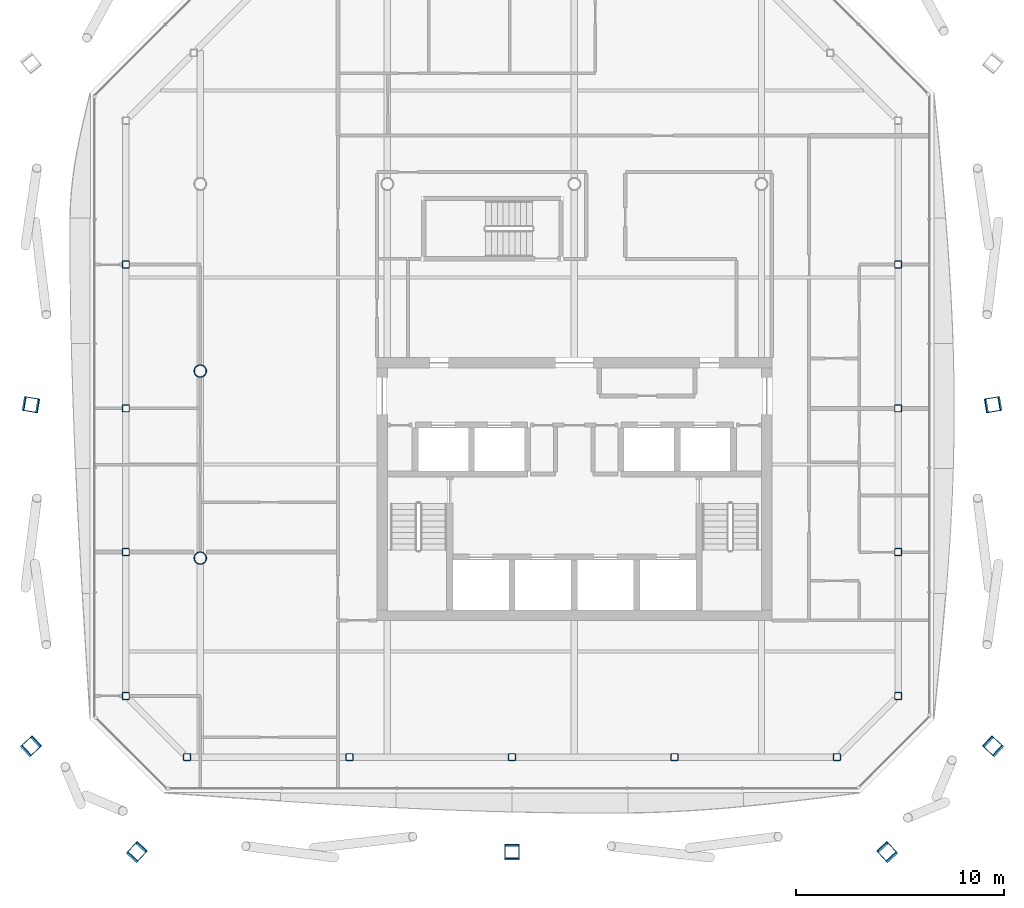
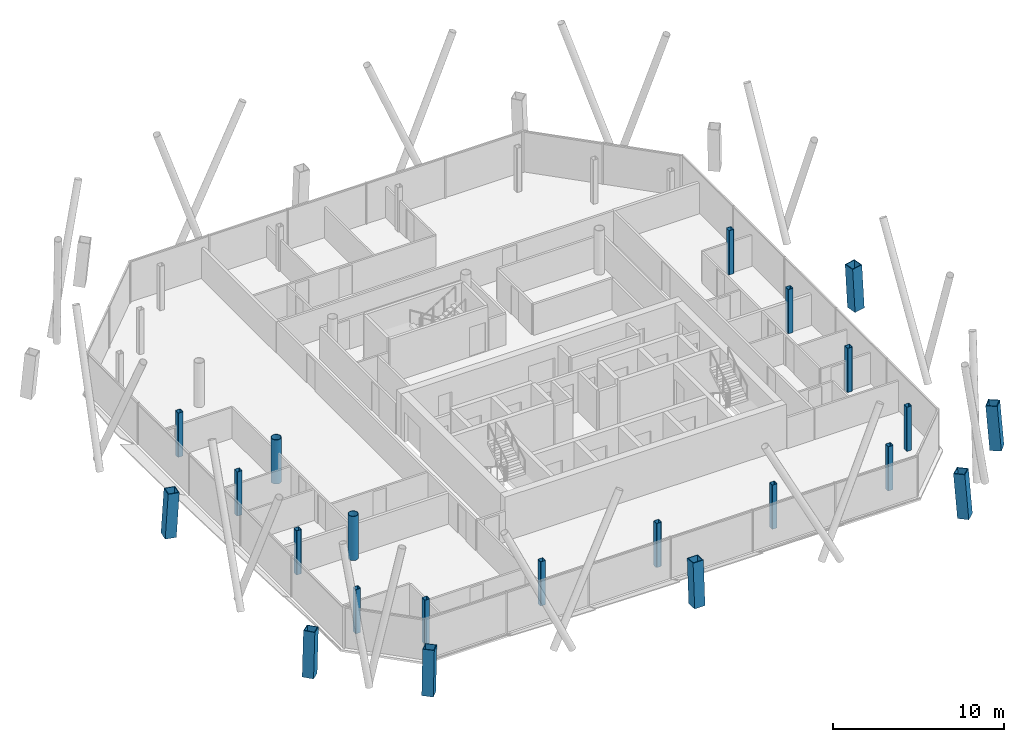
# One storey, part 1 of 19: 22 columns.
"""IFC4 building model written with IfcOpenShell, lengths in metres."""

from ifc_helpers import new_model, si_unit, direction, frame, origin, origin_2d, place, context, subcontext, project, spatial, hollow_rectangle, hollow_circle, extrude, material, material_profile, profile_set, type_object, element, save


model = new_model("IFC4")

# Units and contexts
model_context = context("Model", 3, precision=1e-05, world=origin(), true_north=direction((0.0, 1.0)))
body_context = subcontext(model_context, "Body", "Model", "MODEL_VIEW")
ifc_project = project(units=[si_unit("LENGTHUNIT", "METRE"), si_unit("AREAUNIT", "SQUARE_METRE"), si_unit("VOLUMEUNIT", "CUBIC_METRE"), si_unit("PLANEANGLEUNIT", "RADIAN"), si_unit("MASSUNIT", "GRAM", prefix="KILO")], contexts=[model_context])

# Site, building, storey
site_placement = place(None, origin())
site = spatial("IfcSite", under=ifc_project, at=site_placement, CompositionType="ELEMENT")
building_placement = place(site_placement, origin())
building = spatial("IfcBuilding", under=site, at=building_placement, Name="Tskaro Facet Tower", CompositionType="ELEMENT")
storey_placement = place(building_placement, frame((0.0, 0.0, 191.10009765625)))
storey = spatial("IfcBuildingStorey", under=building, at=storey_placement, Name="L48", CompositionType="ELEMENT", Elevation=191.10009765625)

# Columns
ifc_material_1 = material(Name="Steel S460M", Category="steel")
ifc_material_profile_1 = material_profile(ifc_material_1, hollow_rectangle(XDim=0.699951171875, YDim=0.699951171875, WallThickness=0.044921875, at=origin_2d()), Name="BOX 700x700x45")
ifc_profile_set_1 = profile_set([ifc_material_profile_1], Name="Steel S460M")
column_type_1 = type_object("IfcColumnType", Name="BOX 700x700x45 mega column", PredefinedType="COLUMN", material=ifc_profile_set_1)
column_1_placement = place(storey_placement, frame((-21.0849609375, -23.180908203125, 0.0), z_axis=(0.052851955756, 0.057874436932, 0.996923878901), x_axis=(-0.738421459448, 0.674339490337, 0.0)))
element("IfcColumn", 1, at=column_1_placement, inside=storey, type_object=column_type_1, Name="BOX 700x700x45 MC01/4", PredefinedType="COLUMN", context=body_context, shape_type="SweptSolid", body=[
    extrude(hollow_rectangle(XDim=0.699951171875, YDim=0.699951171875, WallThickness=0.044921875, at=origin_2d()), origin(), (0.0, 0.0, 1.0), 3.15966796875),
])
column_2_placement = place(storey_placement, frame((-3.0, -23.180908203125, 0.0), z_axis=(0.0, 0.057955437846, 0.998319171019), x_axis=(-1.0, 0.0, 0.0)))
element("IfcColumn", 2, at=column_2_placement, inside=storey, type_object=column_type_1, Name="BOX 700x700x45 MC02/4", PredefinedType="COLUMN", context=body_context, shape_type="SweptSolid", body=[
    extrude(hollow_rectangle(XDim=0.699951171875, YDim=0.699951171875, WallThickness=0.044921875, at=origin_2d()), origin(), (0.0, 0.0, 1.0), 3.1552734375),
])
for number, where, z_axis, x_axis, name in (
    (3, (15.0849609375, -23.180908203125, 0.0), (-0.052851955756, 0.057874436932, 0.996923878901), (-0.738421459448, -0.674339490337, 0.0), "BOX 700x700x45 MC03/4"),
    (4, (20.180908203125, -18.0849609375, 0.0), (-0.057874436932, 0.052851955756, 0.996923878901), (-0.674339490337, -0.738421459448, 0.0), "BOX 700x700x45 MC04/4"),
):
    element("IfcColumn", number, at=place(storey_placement, frame(where, z_axis=z_axis, x_axis=x_axis)), inside=storey, type_object=column_type_1, Name=name, PredefinedType="COLUMN", context=body_context, shape_type="SweptSolid", body=[
        extrude(hollow_rectangle(XDim=0.699951171875, YDim=0.699951171875, WallThickness=0.044921875, at=origin_2d()), origin(), (0.0, 0.0, 1.0), 3.15966796875),
    ])
for number, where, z_axis, x_axis, name in (
    (5, (20.180908203125, -1.614013671875, 0.0), (-0.057952813207, -0.009516950633, 0.998273959939), (0.162048444398, -0.986782803695, 0.0), "BOX 700x700x45 MC05/4"),
    (6, (-26.180908203125, -1.614013671875, 0.0), (0.057952813207, -0.009516950633, 0.998273959939), (0.162048444398, 0.986782803695, 0.0), "BOX 700x700x45 MC11/4"),
):
    element("IfcColumn", number, at=place(storey_placement, frame(where, z_axis=z_axis, x_axis=x_axis)), inside=storey, type_object=column_type_1, Name=name, PredefinedType="COLUMN", context=body_context, shape_type="SweptSolid", body=[
        extrude(hollow_rectangle(XDim=0.699951171875, YDim=0.699951171875, WallThickness=0.044921875, at=origin_2d()), origin(), (0.0, 0.0, 1.0), 3.1552734375),
    ])
column_3_placement = place(storey_placement, frame((-26.180908203125, -18.0849609375, 0.0), z_axis=(0.057874436932, 0.052851955756, 0.996923878901), x_axis=(-0.674339490337, 0.738421459448, 0.0)))
element("IfcColumn", 7, at=column_3_placement, inside=storey, type_object=column_type_1, Name="BOX 700x700x45 MC12/4", PredefinedType="COLUMN", context=body_context, shape_type="SweptSolid", body=[
    extrude(hollow_rectangle(XDim=0.699951171875, YDim=0.699951171875, WallThickness=0.044921875, at=origin_2d()), origin(), (0.0, 0.0, 1.0), 3.15966796875),
])
ifc_material_2 = material(Name="Steel S355J2H", Category="steel")
ifc_material_profile_2 = material_profile(ifc_material_2, hollow_circle(Radius=0.304931640625, WallThickness=0.030029296875, at=origin_2d()), Name="CHS 610x30")
ifc_profile_set_2 = profile_set([ifc_material_profile_2], Name="Steel S355J2H")
column_type_2 = type_object("IfcColumnType", Name="CHS 610x30 interior column", PredefinedType="COLUMN", material=ifc_profile_set_2)
for number, where, z_axis, x_axis, name in (
    (8, (-18.0, -9.0, 0.0), (0.0, 0.0, 1.0), (1.0, 0.0, 0.0), "CHS 610x30 C2C/4"),
    (9, (-18.0, 0.0, 0.0), (0.0, 0.0, 1.0), (1.0, 0.0, 0.0), "CHS 610x30 C2D/4"),
):
    element("IfcColumn", number, at=place(storey_placement, frame(where, z_axis=z_axis, x_axis=x_axis)), inside=storey, type_object=column_type_2, Name=name, PredefinedType="COLUMN", context=body_context, shape_type="SweptSolid", body=[
        extrude(hollow_circle(Radius=0.304931640625, WallThickness=0.030029296875, at=origin_2d()), origin(), (0.0, 0.0, 1.0), 3.14990234375),
    ])
ifc_material_profile_3 = material_profile(ifc_material_2, hollow_rectangle(XDim=0.35009765625, YDim=0.35009765625, WallThickness=0.02001953125, InnerFilletRadius=0.030029296875, OuterFilletRadius=0.050048828125, at=origin_2d()), Name="SHS 350x350x20")
ifc_profile_set_3 = profile_set([ifc_material_profile_3], Name="Steel S355J2H")
column_type_3 = type_object("IfcColumnType", Name="SHS 350x350x20 ring column", PredefinedType="COLUMN", material=ifc_profile_set_3)
for number, where, z_axis, x_axis, name in (
    (10, (-18.633056640625, -18.5830078125, 0.0), (0.0, 0.0, 1.0), (1.0, 0.0, 0.0), "SHS 350x350x20 RS-1/4"),
    (11, (-10.81591796875, -18.5830078125, 0.0), (0.0, 0.0, 1.0), (1.0, 0.0, 0.0), "SHS 350x350x20 RS-2/4"),
    (12, (-3.0, -18.5830078125, 0.0), (0.0, 0.0, 1.0), (1.0, 0.0, 0.0), "SHS 350x350x20 RS-3/4"),
    (13, (4.81689453125, -18.5830078125, 0.0), (0.0, 0.0, 1.0), (1.0, 0.0, 0.0), "SHS 350x350x20 RS-4/4"),
    (14, (12.633056640625, -18.5830078125, 0.0), (0.0, 0.0, 1.0), (1.0, 0.0, 0.0), "SHS 350x350x20 RSE-1/4"),
    (15, (15.5830078125, -15.633056640625, 0.0), (0.0, 0.0, 1.0), (1.0, 0.0, 0.0), "SHS 350x350x20 RE-1/4"),
    (16, (15.5830078125, -8.712890625, 0.0), (0.0, 0.0, 1.0), (1.0, 0.0, 0.0), "SHS 350x350x20 RE-2/4"),
    (17, (15.5830078125, -1.79296875, 0.0), (0.0, 0.0, 1.0), (1.0, 0.0, 0.0), "SHS 350x350x20 RE-3/4"),
    (18, (15.5830078125, 5.1259765625, 0.0), (0.0, 0.0, 1.0), (1.0, 0.0, 0.0), "SHS 350x350x20 RE-4/4"),
    (19, (-21.5830078125, 5.1259765625, 0.0), (0.0, 0.0, 1.0), (1.0, 0.0, 0.0), "SHS 350x350x20 RW-2/4"),
    (20, (-21.5830078125, -1.79296875, 0.0), (0.0, 0.0, 1.0), (1.0, 0.0, 0.0), "SHS 350x350x20 RW-3/4"),
    (21, (-21.5830078125, -8.712890625, 0.0), (0.0, 0.0, 1.0), (1.0, 0.0, 0.0), "SHS 350x350x20 RW-4/4"),
    (22, (-21.5830078125, -15.633056640625, 0.0), (0.0, 0.0, 1.0), (1.0, 0.0, 0.0), "SHS 350x350x20 RSW-1/4"),
):
    element("IfcColumn", number, at=place(storey_placement, frame(where, z_axis=z_axis, x_axis=x_axis)), inside=storey, type_object=column_type_3, Name=name, PredefinedType="COLUMN", context=body_context, shape_type="SweptSolid", body=[
        extrude(hollow_rectangle(XDim=0.35009765625, YDim=0.35009765625, WallThickness=0.02001953125, InnerFilletRadius=0.030029296875, OuterFilletRadius=0.050048828125, at=origin_2d()), origin(), (0.0, 0.0, 1.0), 3.14990234375),
    ])

save(model, "model.ifc")
